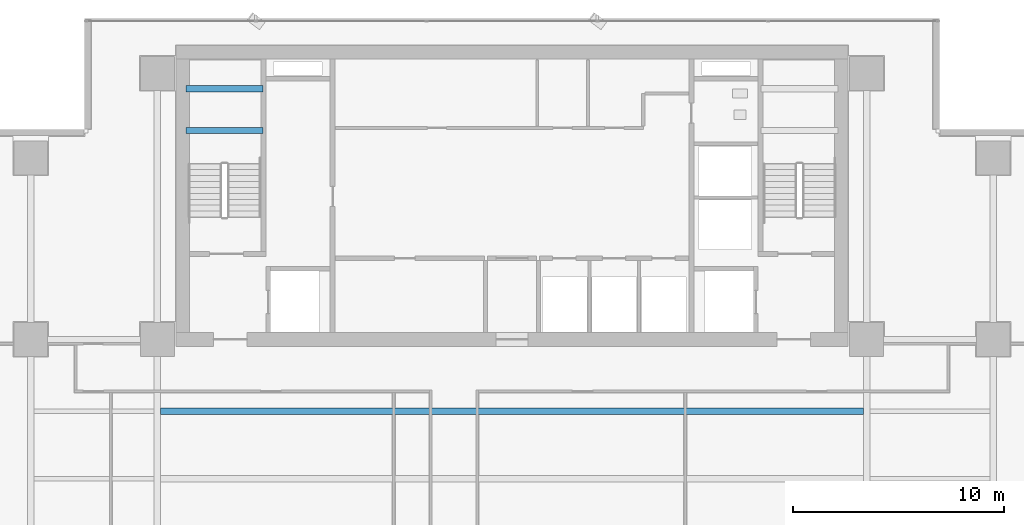
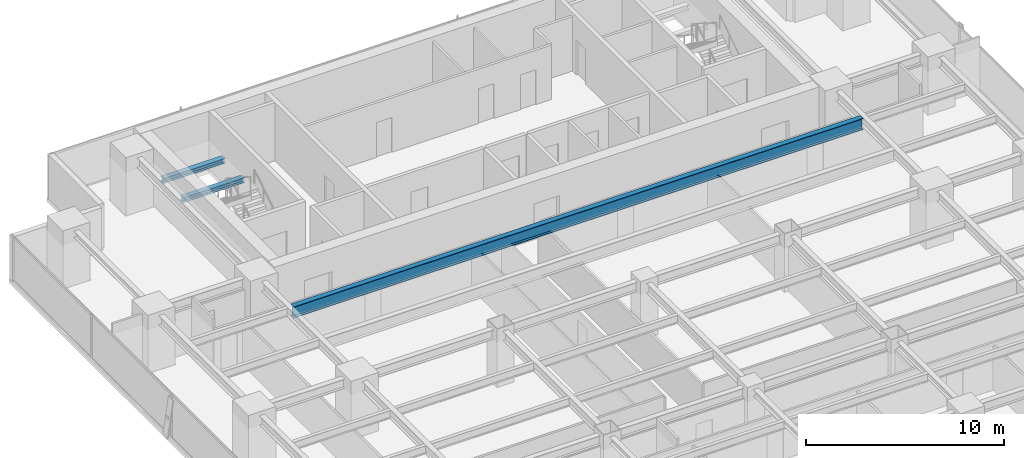
# One storey, part 19 of 37: 3 beams.
"""IFC4 building model written with IfcOpenShell, lengths in metres."""

from ifc_helpers import new_model, si_unit, direction, frame, origin, origin_2d, place, context, subcontext, project, spatial, i_section, extrude, source, transform, mapped, material, material_profile, profile_set, type_object, element, save


model = new_model("IFC4")

# Units and contexts
model_context = context("Model", 3, precision=1e-05, world=origin(), true_north=direction((0.0, 1.0)))
body_context = subcontext(model_context, "Body", "Model", "MODEL_VIEW")
ifc_project = project(units=[si_unit("LENGTHUNIT", "METRE"), si_unit("AREAUNIT", "SQUARE_METRE"), si_unit("VOLUMEUNIT", "CUBIC_METRE"), si_unit("PLANEANGLEUNIT", "RADIAN"), si_unit("MASSUNIT", "GRAM", prefix="KILO")], contexts=[model_context])

# Site, building, storey
site_placement = place(None, origin())
site = spatial("IfcSite", under=ifc_project, at=site_placement, CompositionType="ELEMENT")
building_placement = place(site_placement, origin())
building = spatial("IfcBuilding", under=site, at=building_placement, Name="Sumidabori Civic Tower", CompositionType="ELEMENT")
storey_placement = place(building_placement, frame((0.0, 0.0, 88.39990234375)))
storey = spatial("IfcBuildingStorey", under=building, at=storey_placement, Name="L22", CompositionType="ELEMENT", Elevation=88.39990234375)

# Beams
ifc_material = material(Name="Steel SN490", Category="steel")
ifc_material_profile_1 = material_profile(ifc_material, i_section(OverallWidth=0.300048828125, OverallDepth=0.300048828125, WebThickness=0.010986328125, FlangeThickness=0.01904296875, at=origin_2d()), Name="HE 300 B")
ifc_profile_set_1 = profile_set([ifc_material_profile_1], Name="Steel SN490")
beam_type_1 = type_object("IfcBeamType", Name="BM-LDG-300", PredefinedType="BEAM", material=ifc_profile_set_1)
shared_shape_1 = source(origin(), body_context, "Body", "SweptSolid", [
    extrude(i_section(OverallWidth=0.300048828125, OverallDepth=0.300048828125, WebThickness=0.010986328125, FlangeThickness=0.01904296875, at=origin_2d()), origin(), (0.0, 0.0, 1.0), 3.64990234375),
])
for number, where, z_axis, x_axis, name in (
    (1, (-15.449951171875, 20.09765625, 1.4501953125), (1.0, 0.0, 0.0), (0.0, 1.0, 0.0), "Stair ST-1 Landing Support Beam L22-1A"),
    (2, (-15.449951171875, 22.069580078125, 1.4501953125), (1.0, 0.0, 0.0), (0.0, 1.0, 0.0), "Stair ST-1 Landing Trimmer Beam L22-1B"),
):
    element("IfcBeam", number, at=place(storey_placement, frame(where, z_axis=z_axis, x_axis=x_axis)), inside=storey, type_object=beam_type_1, Name=name, PredefinedType="BEAM", context=body_context, shape_type="MappedRepresentation", body=[
        mapped(shared_shape_1, transform((0.0, 0.0, 0.0), x_axis=(1.0, 0.0, 0.0), y_axis=(0.0, 1.0, 0.0), z_axis=(0.0, 0.0, 1.0), scale=1.0)),
    ])
ifc_material_profile_2 = material_profile(ifc_material, i_section(OverallWidth=0.300048828125, OverallDepth=0.699951171875, WebThickness=0.01708984375, FlangeThickness=0.031982421875, at=origin_2d()), Name="HE 700 B")
ifc_profile_set_2 = profile_set([ifc_material_profile_2], Name="Steel SN490")
beam_type_2 = type_object("IfcBeamType", Name="BM-GIRD-700", PredefinedType="BEAM", material=ifc_profile_set_2)
shared_shape_2 = source(origin(), body_context, "Body", "SweptSolid", [
    extrude(i_section(OverallWidth=0.300048828125, OverallDepth=0.699951171875, WebThickness=0.01708984375, FlangeThickness=0.031982421875, at=origin_2d()), origin(), (0.0, 0.0, 1.0), 33.2998046875),
])
beam_placement = place(storey_placement, frame((-16.64990234375, 6.800048828125, 3.010009765625), z_axis=(1.0, 0.0, 0.0), x_axis=(0.0, 1.0, 0.0)))
element("IfcBeam", 3, at=beam_placement, inside=storey, type_object=beam_type_2, Name="North Bay Floor Beam L22 JSTN-54", PredefinedType="BEAM", context=body_context, shape_type="MappedRepresentation", body=[
    mapped(shared_shape_2, transform((0.0, 0.0, 0.0), x_axis=(1.0, 0.0, 0.0), y_axis=(0.0, 1.0, 0.0), z_axis=(0.0, 0.0, 1.0), scale=1.0)),
])

save(model, "model.ifc")
